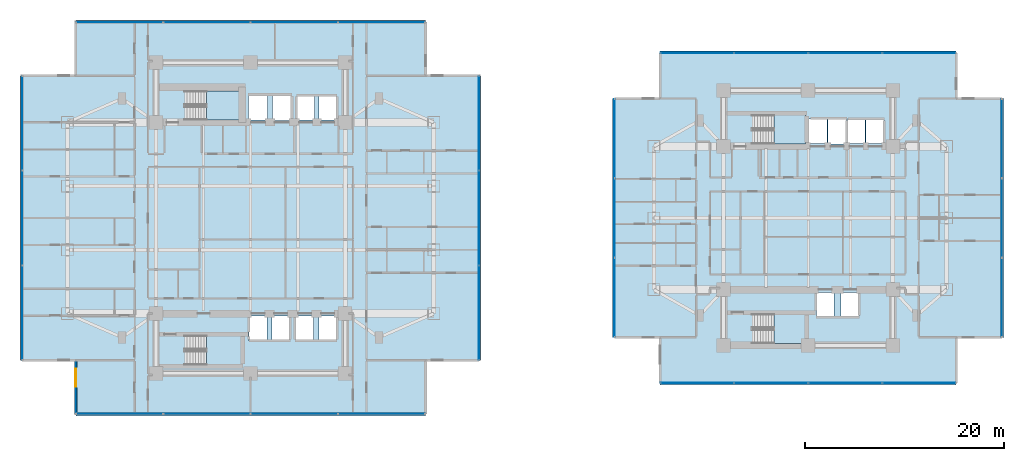
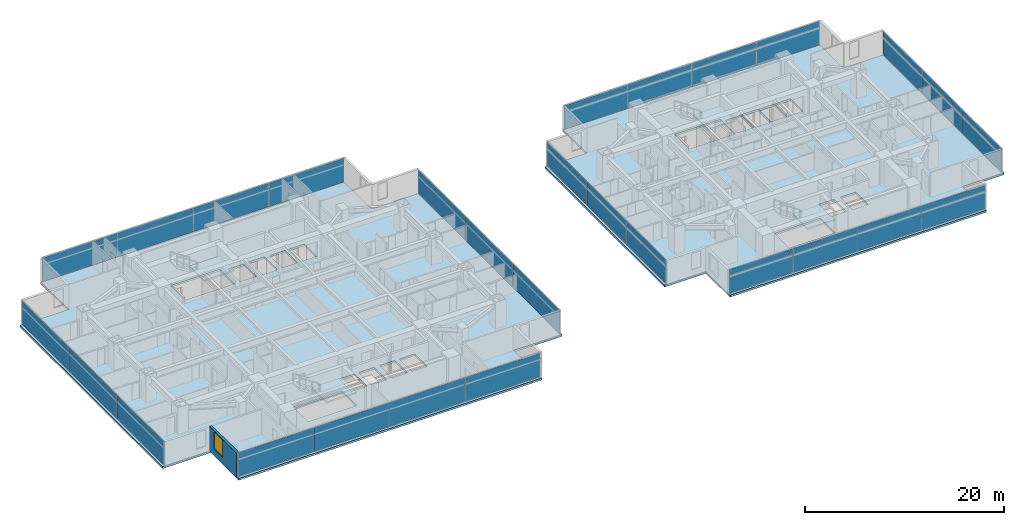
# One storey, part 13 of 26: 28 plates, 6 slabs, 1 wall, 1 window, 1 opening, 12 elements without a shape of their own.
"""IFC4 building model written with IfcOpenShell, lengths in metres."""

from ifc_helpers import new_model, si_unit, direction, frame, frame_2d, origin, origin_2d, place, context, subcontext, project, spatial, polyline, rectangle, outline, extrude, material, layer, layer_set, type_object, element, fill, aggregate, save


model = new_model("IFC4")

# Units and contexts
model_context = context("Model", 3, precision=1e-05, world=origin(), true_north=direction((0.0, 1.0)))
body_context = subcontext(model_context, "Body", "Model", "MODEL_VIEW")
ifc_project = project(units=[si_unit("LENGTHUNIT", "METRE"), si_unit("AREAUNIT", "SQUARE_METRE"), si_unit("VOLUMEUNIT", "CUBIC_METRE"), si_unit("PLANEANGLEUNIT", "RADIAN"), si_unit("MASSUNIT", "GRAM", prefix="KILO")], contexts=[model_context])

# Site, building, storey
site_placement = place(None, origin())
site = spatial("IfcSite", under=ifc_project, at=site_placement, CompositionType="ELEMENT")
building_placement = place(site_placement, origin())
building = spatial("IfcBuilding", under=site, at=building_placement, Name="Mirazonda Arch Towers", CompositionType="ELEMENT")
storey_placement = place(building_placement, frame((0.0, 0.0, 45.5)))
storey = spatial("IfcBuildingStorey", under=building, at=storey_placement, Name="L12", CompositionType="ELEMENT", Elevation=45.5)

# Curtain wall, plates
ifc_material_1 = material(Name="Anodised Aluminium and Low-E Glass", Category="aluminium")
curtain_wall_type = type_object("IfcCurtainWallType", Name="CW-HTL-UNIT", PredefinedType="NOTDEFINED", material=ifc_material_1)
curtain_wall_1_placement = place(storey_placement, origin())
curtain_wall_1 = element("IfcCurtainWall", 1, at=curtain_wall_1_placement, inside=storey, type_object=curtain_wall_type, Name="L12 T1 S Facade CW-L12-T1-S", PredefinedType="NOTDEFINED")
ifc_material_2 = material(Name="Insulated Low-E Solar Glass", Category="glass")
ifc_layer_1 = layer(ifc_material_2, 0.035888671875, Name="PAN-CW-HTL-UNIT")
ifc_layer_set_1 = layer_set([ifc_layer_1], Name="Insulated Low-E Solar Glass")
plate_type = type_object("IfcPlateType", Name="PAN-CW-HTL-UNIT", PredefinedType="CURTAIN_PANEL", material=ifc_layer_set_1)
plate_1_placement = place(storey_placement, frame((33.6513671875, 8.333984375, 0.0751953125), z_axis=(0.0, 0.0, 1.0), x_axis=(-1.0, 0.0, 0.0)))
plate_1 = element("IfcPlate", 2, at=plate_1_placement, type_object=plate_type, Name="CW-112 panel 1.1", PredefinedType="CURTAIN_PANEL", context=body_context, shape_type="SweptSolid", body=[
    extrude(rectangle(XDim=8.66748046875, YDim=0.035888671875, at=origin_2d()), origin(), (0.0, 0.0, 1.0), 2.889892578125),
])
plate_2_placement = place(storey_placement, frame((24.889892578125, 8.333984375, 0.0751953125), z_axis=(0.0, 0.0, 1.0), x_axis=(-1.0, 0.0, 0.0)))
plate_2 = element("IfcPlate", 3, at=plate_2_placement, type_object=plate_type, Name="CW-112 panel 2.1", PredefinedType="CURTAIN_PANEL", context=body_context, shape_type="SweptSolid", body=[
    extrude(rectangle(XDim=8.705078125, YDim=0.035888671875, at=origin_2d()), origin(), (0.0, 0.0, 1.0), 2.889892578125),
])
plate_3_placement = place(storey_placement, frame((16.110107421875, 8.333984375, 0.0751953125), z_axis=(0.0, 0.0, 1.0), x_axis=(-1.0, 0.0, 0.0)))
plate_3 = element("IfcPlate", 4, at=plate_3_placement, type_object=plate_type, Name="CW-112 panel 3.1", PredefinedType="CURTAIN_PANEL", context=body_context, shape_type="SweptSolid", body=[
    extrude(rectangle(XDim=8.705078125, YDim=0.035888671875, at=origin_2d()), origin(), (0.0, 0.0, 1.0), 2.889892578125),
])
plate_4_placement = place(storey_placement, frame((7.3486328125, 8.333984375, 0.0751953125), z_axis=(0.0, 0.0, 1.0), x_axis=(-1.0, 0.0, 0.0)))
plate_4 = element("IfcPlate", 5, at=plate_4_placement, type_object=plate_type, Name="CW-112 panel 4.1", PredefinedType="CURTAIN_PANEL", context=body_context, shape_type="SweptSolid", body=[
    extrude(rectangle(XDim=8.66748046875, YDim=0.035888671875, at=origin_2d()), origin(), (0.0, 0.0, 1.0), 2.889892578125),
])
aggregate(curtain_wall_1, [plate_1, plate_2, plate_3, plate_4])

curtain_wall_2_placement = place(storey_placement, origin())
curtain_wall_2 = element("IfcCurtainWall", 6, at=curtain_wall_2_placement, inside=storey, type_object=curtain_wall_type, Name="L12 T1 E Facade CW-L12-T1-E", PredefinedType="NOTDEFINED")
plate_5_placement = place(storey_placement, frame((43.43994140625, 18.49462890625, 0.0751953125), z_axis=(0.0, 0.0, 1.0), x_axis=(0.0, 1.0, 0.0)))
plate_5 = element("IfcPlate", 7, at=plate_5_placement, type_object=plate_type, Name="CW-112 panel 1.1", PredefinedType="CURTAIN_PANEL", context=body_context, shape_type="SweptSolid", body=[
    extrude(rectangle(XDim=9.41162109375, YDim=0.035888671875, at=origin_2d()), origin(), (0.0, 0.0, 1.0), 2.889892578125),
])
plate_6_placement = place(storey_placement, frame((43.43994140625, 28.0, 0.0751953125), z_axis=(0.0, 0.0, 1.0), x_axis=(0.0, 1.0, 0.0)))
plate_6 = element("IfcPlate", 8, at=plate_6_placement, type_object=plate_type, Name="CW-112 panel 2.1", PredefinedType="CURTAIN_PANEL", context=body_context, shape_type="SweptSolid", body=[
    extrude(rectangle(XDim=9.448974609375, YDim=0.035888671875, at=origin_2d()), origin(), (0.0, 0.0, 1.0), 2.889892578125),
])
plate_7_placement = place(storey_placement, frame((43.43994140625, 37.50537109375, 0.0751953125), z_axis=(0.0, 0.0, 1.0), x_axis=(0.0, 1.0, 0.0)))
plate_7 = element("IfcPlate", 9, at=plate_7_placement, type_object=plate_type, Name="CW-112 panel 3.1", PredefinedType="CURTAIN_PANEL", context=body_context, shape_type="SweptSolid", body=[
    extrude(rectangle(XDim=9.41162109375, YDim=0.035888671875, at=origin_2d()), origin(), (0.0, 0.0, 1.0), 2.889892578125),
])
aggregate(curtain_wall_2, [plate_5, plate_6, plate_7])

curtain_wall_3_placement = place(storey_placement, origin())
curtain_wall_3 = element("IfcCurtainWall", 10, at=curtain_wall_3_placement, inside=storey, type_object=curtain_wall_type, Name="L12 T1 N Facade CW-L12-T1-N", PredefinedType="NOTDEFINED")
plate_8_placement = place(storey_placement, frame((7.3486328125, 47.666015625, 0.0751953125), z_axis=(0.0, 0.0, 1.0), x_axis=(1.0, 0.0, 0.0)))
plate_8 = element("IfcPlate", 11, at=plate_8_placement, type_object=plate_type, Name="CW-112 panel 1.1", PredefinedType="CURTAIN_PANEL", context=body_context, shape_type="SweptSolid", body=[
    extrude(rectangle(XDim=8.66748046875, YDim=0.035888671875, at=origin_2d()), origin(), (0.0, 0.0, 1.0), 2.889892578125),
])
plate_9_placement = place(storey_placement, frame((16.110107421875, 47.666015625, 0.0751953125), z_axis=(0.0, 0.0, 1.0), x_axis=(1.0, 0.0, 0.0)))
plate_9 = element("IfcPlate", 12, at=plate_9_placement, type_object=plate_type, Name="CW-112 panel 2.1", PredefinedType="CURTAIN_PANEL", context=body_context, shape_type="SweptSolid", body=[
    extrude(rectangle(XDim=8.705078125, YDim=0.035888671875, at=origin_2d()), origin(), (0.0, 0.0, 1.0), 2.889892578125),
])
plate_10_placement = place(storey_placement, frame((24.889892578125, 47.666015625, 0.0751953125), z_axis=(0.0, 0.0, 1.0), x_axis=(1.0, 0.0, 0.0)))
plate_10 = element("IfcPlate", 13, at=plate_10_placement, type_object=plate_type, Name="CW-112 panel 3.1", PredefinedType="CURTAIN_PANEL", context=body_context, shape_type="SweptSolid", body=[
    extrude(rectangle(XDim=8.705078125, YDim=0.035888671875, at=origin_2d()), origin(), (0.0, 0.0, 1.0), 2.889892578125),
])
plate_11_placement = place(storey_placement, frame((33.6513671875, 47.666015625, 0.0751953125), z_axis=(0.0, 0.0, 1.0), x_axis=(1.0, 0.0, 0.0)))
plate_11 = element("IfcPlate", 14, at=plate_11_placement, type_object=plate_type, Name="CW-112 panel 4.1", PredefinedType="CURTAIN_PANEL", context=body_context, shape_type="SweptSolid", body=[
    extrude(rectangle(XDim=8.66748046875, YDim=0.035888671875, at=origin_2d()), origin(), (0.0, 0.0, 1.0), 2.889892578125),
])
aggregate(curtain_wall_3, [plate_8, plate_9, plate_10, plate_11])

curtain_wall_4_placement = place(storey_placement, origin())
curtain_wall_4 = element("IfcCurtainWall", 15, at=curtain_wall_4_placement, inside=storey, type_object=curtain_wall_type, Name="L12 T1 W Facade CW-L12-T1-W", PredefinedType="NOTDEFINED")
plate_12_placement = place(storey_placement, frame((-2.43994140625, 37.50537109375, 0.0751953125), z_axis=(0.0, 0.0, 1.0), x_axis=(0.0, -1.0, 0.0)))
plate_12 = element("IfcPlate", 16, at=plate_12_placement, type_object=plate_type, Name="CW-112 panel 1.1", PredefinedType="CURTAIN_PANEL", context=body_context, shape_type="SweptSolid", body=[
    extrude(rectangle(XDim=9.41162109375, YDim=0.035888671875, at=origin_2d()), origin(), (0.0, 0.0, 1.0), 2.889892578125),
])
plate_13_placement = place(storey_placement, frame((-2.43994140625, 28.0, 0.0751953125), z_axis=(0.0, 0.0, 1.0), x_axis=(0.0, -1.0, 0.0)))
plate_13 = element("IfcPlate", 17, at=plate_13_placement, type_object=plate_type, Name="CW-112 panel 2.1", PredefinedType="CURTAIN_PANEL", context=body_context, shape_type="SweptSolid", body=[
    extrude(rectangle(XDim=9.448974609375, YDim=0.035888671875, at=origin_2d()), origin(), (0.0, 0.0, 1.0), 2.889892578125),
])
plate_14_placement = place(storey_placement, frame((-2.43994140625, 18.49462890625, 0.0751953125), z_axis=(0.0, 0.0, 1.0), x_axis=(0.0, -1.0, 0.0)))
plate_14 = element("IfcPlate", 18, at=plate_14_placement, type_object=plate_type, Name="CW-112 panel 3.1", PredefinedType="CURTAIN_PANEL", context=body_context, shape_type="SweptSolid", body=[
    extrude(rectangle(XDim=9.41162109375, YDim=0.035888671875, at=origin_2d()), origin(), (0.0, 0.0, 1.0), 2.889892578125),
])
aggregate(curtain_wall_4, [plate_12, plate_13, plate_14])

curtain_wall_5_placement = place(storey_placement, origin())
curtain_wall_5 = element("IfcCurtainWall", 19, at=curtain_wall_5_placement, inside=storey, type_object=curtain_wall_type, Name="L12 T2 S Facade CW-L12-T2-S", PredefinedType="NOTDEFINED")
plate_15_placement = place(storey_placement, frame((87.630859375, 11.43701171875, 0.0751953125), z_axis=(0.0, 0.0, 1.0), x_axis=(-1.0, 0.0, 0.0)))
plate_15 = element("IfcPlate", 20, at=plate_15_placement, type_object=plate_type, Name="CW-112 panel 1.1", PredefinedType="CURTAIN_PANEL", context=body_context, shape_type="SweptSolid", body=[
    extrude(rectangle(XDim=7.320556640625, YDim=0.035888671875, at=origin_2d()), origin(), (0.0, 0.0, 1.0), 2.889892578125),
])
plate_16_placement = place(storey_placement, frame((80.216552734375, 11.43701171875, 0.0751953125), z_axis=(0.0, 0.0, 1.0), x_axis=(-1.0, 0.0, 0.0)))
plate_16 = element("IfcPlate", 21, at=plate_16_placement, type_object=plate_type, Name="CW-112 panel 2.1", PredefinedType="CURTAIN_PANEL", context=body_context, shape_type="SweptSolid", body=[
    extrude(rectangle(XDim=7.35791015625, YDim=0.035888671875, at=origin_2d()), origin(), (0.0, 0.0, 1.0), 2.889892578125),
])
plate_17_placement = place(storey_placement, frame((72.783447265625, 11.43701171875, 0.0751953125), z_axis=(0.0, 0.0, 1.0), x_axis=(-1.0, 0.0, 0.0)))
plate_17 = element("IfcPlate", 22, at=plate_17_placement, type_object=plate_type, Name="CW-112 panel 3.1", PredefinedType="CURTAIN_PANEL", context=body_context, shape_type="SweptSolid", body=[
    extrude(rectangle(XDim=7.35791015625, YDim=0.035888671875, at=origin_2d()), origin(), (0.0, 0.0, 1.0), 2.889892578125),
])
plate_18_placement = place(storey_placement, frame((65.369140625, 11.43701171875, 0.0751953125), z_axis=(0.0, 0.0, 1.0), x_axis=(-1.0, 0.0, 0.0)))
plate_18 = element("IfcPlate", 23, at=plate_18_placement, type_object=plate_type, Name="CW-112 panel 4.1", PredefinedType="CURTAIN_PANEL", context=body_context, shape_type="SweptSolid", body=[
    extrude(rectangle(XDim=7.320556640625, YDim=0.035888671875, at=origin_2d()), origin(), (0.0, 0.0, 1.0), 2.889892578125),
])
aggregate(curtain_wall_5, [plate_15, plate_16, plate_17, plate_18])

curtain_wall_6_placement = place(storey_placement, origin())
curtain_wall_6 = element("IfcCurtainWall", 24, at=curtain_wall_6_placement, inside=storey, type_object=curtain_wall_type, Name="L12 T2 E Facade CW-L12-T2-E", PredefinedType="NOTDEFINED")
plate_19_placement = place(storey_placement, frame((95.946044921875, 20.030029296875, 0.0751953125), z_axis=(0.0, 0.0, 1.0), x_axis=(0.0, 1.0, 0.0)))
plate_19 = element("IfcPlate", 25, at=plate_19_placement, type_object=plate_type, Name="CW-112 panel 1.1", PredefinedType="CURTAIN_PANEL", context=body_context, shape_type="SweptSolid", body=[
    extrude(rectangle(XDim=7.876220703125, YDim=0.035888671875, at=origin_2d()), origin(), (0.0, 0.0, 1.0), 2.889892578125),
])
plate_20_placement = place(storey_placement, frame((95.946044921875, 28.0, 0.0751953125), z_axis=(0.0, 0.0, 1.0), x_axis=(0.0, 1.0, 0.0)))
plate_20 = element("IfcPlate", 26, at=plate_20_placement, type_object=plate_type, Name="CW-112 panel 2.1", PredefinedType="CURTAIN_PANEL", context=body_context, shape_type="SweptSolid", body=[
    extrude(rectangle(XDim=7.913818359375, YDim=0.035888671875, at=origin_2d()), origin(), (0.0, 0.0, 1.0), 2.889892578125),
])
plate_21_placement = place(storey_placement, frame((95.946044921875, 35.969970703125, 0.0751953125), z_axis=(0.0, 0.0, 1.0), x_axis=(0.0, 1.0, 0.0)))
plate_21 = element("IfcPlate", 27, at=plate_21_placement, type_object=plate_type, Name="CW-112 panel 3.1", PredefinedType="CURTAIN_PANEL", context=body_context, shape_type="SweptSolid", body=[
    extrude(rectangle(XDim=7.876220703125, YDim=0.035888671875, at=origin_2d()), origin(), (0.0, 0.0, 1.0), 2.889892578125),
])
aggregate(curtain_wall_6, [plate_19, plate_20, plate_21])

curtain_wall_7_placement = place(storey_placement, origin())
curtain_wall_7 = element("IfcCurtainWall", 28, at=curtain_wall_7_placement, inside=storey, type_object=curtain_wall_type, Name="L12 T2 N Facade CW-L12-T2-N", PredefinedType="NOTDEFINED")
plate_22_placement = place(storey_placement, frame((65.369140625, 44.56298828125, 0.0751953125), z_axis=(0.0, 0.0, 1.0), x_axis=(1.0, 0.0, 0.0)))
plate_22 = element("IfcPlate", 29, at=plate_22_placement, type_object=plate_type, Name="CW-112 panel 1.1", PredefinedType="CURTAIN_PANEL", context=body_context, shape_type="SweptSolid", body=[
    extrude(rectangle(XDim=7.320556640625, YDim=0.035888671875, at=origin_2d()), origin(), (0.0, 0.0, 1.0), 2.889892578125),
])
plate_23_placement = place(storey_placement, frame((72.783447265625, 44.56298828125, 0.0751953125), z_axis=(0.0, 0.0, 1.0), x_axis=(1.0, 0.0, 0.0)))
plate_23 = element("IfcPlate", 30, at=plate_23_placement, type_object=plate_type, Name="CW-112 panel 2.1", PredefinedType="CURTAIN_PANEL", context=body_context, shape_type="SweptSolid", body=[
    extrude(rectangle(XDim=7.35791015625, YDim=0.035888671875, at=origin_2d()), origin(), (0.0, 0.0, 1.0), 2.889892578125),
])
plate_24_placement = place(storey_placement, frame((80.216552734375, 44.56298828125, 0.0751953125), z_axis=(0.0, 0.0, 1.0), x_axis=(1.0, 0.0, 0.0)))
plate_24 = element("IfcPlate", 31, at=plate_24_placement, type_object=plate_type, Name="CW-112 panel 3.1", PredefinedType="CURTAIN_PANEL", context=body_context, shape_type="SweptSolid", body=[
    extrude(rectangle(XDim=7.35791015625, YDim=0.035888671875, at=origin_2d()), origin(), (0.0, 0.0, 1.0), 2.889892578125),
])
plate_25_placement = place(storey_placement, frame((87.630859375, 44.56298828125, 0.0751953125), z_axis=(0.0, 0.0, 1.0), x_axis=(1.0, 0.0, 0.0)))
plate_25 = element("IfcPlate", 32, at=plate_25_placement, type_object=plate_type, Name="CW-112 panel 4.1", PredefinedType="CURTAIN_PANEL", context=body_context, shape_type="SweptSolid", body=[
    extrude(rectangle(XDim=7.320556640625, YDim=0.035888671875, at=origin_2d()), origin(), (0.0, 0.0, 1.0), 2.889892578125),
])
aggregate(curtain_wall_7, [plate_22, plate_23, plate_24, plate_25])

curtain_wall_8_placement = place(storey_placement, origin())
curtain_wall_8 = element("IfcCurtainWall", 33, at=curtain_wall_8_placement, inside=storey, type_object=curtain_wall_type, Name="L12 T2 W Facade CW-L12-T2-W", PredefinedType="NOTDEFINED")
plate_26_placement = place(storey_placement, frame((57.053955078125, 35.969970703125, 0.0751953125), z_axis=(0.0, 0.0, 1.0), x_axis=(0.0, -1.0, 0.0)))
plate_26 = element("IfcPlate", 34, at=plate_26_placement, type_object=plate_type, Name="CW-112 panel 1.1", PredefinedType="CURTAIN_PANEL", context=body_context, shape_type="SweptSolid", body=[
    extrude(rectangle(XDim=7.876220703125, YDim=0.035888671875, at=origin_2d()), origin(), (0.0, 0.0, 1.0), 2.889892578125),
])
plate_27_placement = place(storey_placement, frame((57.053955078125, 28.0, 0.0751953125), z_axis=(0.0, 0.0, 1.0), x_axis=(0.0, -1.0, 0.0)))
plate_27 = element("IfcPlate", 35, at=plate_27_placement, type_object=plate_type, Name="CW-112 panel 2.1", PredefinedType="CURTAIN_PANEL", context=body_context, shape_type="SweptSolid", body=[
    extrude(rectangle(XDim=7.913818359375, YDim=0.035888671875, at=origin_2d()), origin(), (0.0, 0.0, 1.0), 2.889892578125),
])
plate_28_placement = place(storey_placement, frame((57.053955078125, 20.030029296875, 0.0751953125), z_axis=(0.0, 0.0, 1.0), x_axis=(0.0, -1.0, 0.0)))
plate_28 = element("IfcPlate", 36, at=plate_28_placement, type_object=plate_type, Name="CW-112 panel 3.1", PredefinedType="CURTAIN_PANEL", context=body_context, shape_type="SweptSolid", body=[
    extrude(rectangle(XDim=7.876220703125, YDim=0.035888671875, at=origin_2d()), origin(), (0.0, 0.0, 1.0), 2.889892578125),
])
aggregate(curtain_wall_8, [plate_26, plate_27, plate_28])

# Stair, slab
ifc_material_3 = material(Name="Concrete C40/50", Category="concrete")
stair_type = type_object("IfcStairType", Name="STAIR-CORE-1400", PredefinedType="HALF_TURN_STAIR", material=ifc_material_3)
stair_1_placement = place(storey_placement, origin())
stair_1 = element("IfcStair", 37, at=stair_1_placement, inside=storey, type_object=stair_type, Name="L12 Protected Exit Stair ST-T1N", PredefinedType="HALF_TURN_STAIR")
ifc_layer_2 = layer(ifc_material_3, 0.18994140625, Name="SLAB-LANDING-190")
ifc_layer_set_2 = layer_set([ifc_layer_2], Name="Concrete C40/50")
slab_type_1 = type_object("IfcSlabType", Name="SLAB-LANDING-190", PredefinedType="LANDING", material=ifc_layer_set_2)
slab_1_placement = place(storey_placement, frame((0.0, 0.0, 1.449951171875)))
slab_1 = element("IfcSlab", 38, at=slab_1_placement, type_object=slab_type_1, Name="ST-T1N landing 1", PredefinedType="LANDING", context=body_context, shape_type="SweptSolid", body=[
    extrude(outline(polyline([(16.090087890625, 37.820068359375), (19.60009765625, 37.820068359375), (19.60009765625, 40.760009765625), (16.090087890625, 40.760009765625), (16.090087890625, 37.820068359375)])), origin(), (0.0, 0.0, 1.0), 0.199951171875),
])
aggregate(stair_1, [slab_1])

stair_2_placement = place(storey_placement, origin())
stair_2 = element("IfcStair", 39, at=stair_2_placement, inside=storey, type_object=stair_type, Name="L12 Protected Exit Stair ST-T1S", PredefinedType="HALF_TURN_STAIR")
slab_2_placement = place(storey_placement, frame((0.0, 0.0, 1.449951171875)))
slab_2 = element("IfcSlab", 40, at=slab_2_placement, type_object=slab_type_1, Name="ST-T1S landing 1", PredefinedType="LANDING", context=body_context, shape_type="SweptSolid", body=[
    extrude(outline(polyline([(16.090087890625, 13.25), (19.60009765625, 13.25), (19.60009765625, 16.18994140625), (16.090087890625, 16.18994140625), (16.090087890625, 13.25)])), origin(), (0.0, 0.0, 1.0), 0.199951171875),
])
aggregate(stair_2, [slab_2])

stair_3_placement = place(storey_placement, origin())
stair_3 = element("IfcStair", 41, at=stair_3_placement, inside=storey, type_object=stair_type, Name="L12 Protected Exit Stair ST-T2N", PredefinedType="HALF_TURN_STAIR")
slab_3_placement = place(storey_placement, frame((0.0, 0.0, 1.449951171875)))
slab_3 = element("IfcSlab", 42, at=slab_3_placement, type_object=slab_type_1, Name="ST-T2N landing 1", PredefinedType="LANDING", context=body_context, shape_type="SweptSolid", body=[
    extrude(outline(polyline([(73.090087890625, 35.419921875), (76.22998046875, 35.419921875), (76.22998046875, 38.360107421875), (73.090087890625, 38.360107421875), (73.090087890625, 35.419921875)])), origin(), (0.0, 0.0, 1.0), 0.199951171875),
])
aggregate(stair_3, [slab_3])

stair_4_placement = place(storey_placement, origin())
stair_4 = element("IfcStair", 43, at=stair_4_placement, inside=storey, type_object=stair_type, Name="L12 Protected Exit Stair ST-T2S", PredefinedType="HALF_TURN_STAIR")
slab_4_placement = place(storey_placement, frame((0.0, 0.0, 1.449951171875)))
slab_4 = element("IfcSlab", 44, at=slab_4_placement, type_object=slab_type_1, Name="ST-T2S landing 1", PredefinedType="LANDING", context=body_context, shape_type="SweptSolid", body=[
    extrude(outline(polyline([(73.090087890625, 15.419921875), (76.22998046875, 15.419921875), (76.22998046875, 18.360107421875), (73.090087890625, 18.360107421875), (73.090087890625, 15.419921875)])), origin(), (0.0, 0.0, 1.0), 0.199951171875),
])
aggregate(stair_4, [slab_4])

# Slabs
ifc_layer_3 = layer(ifc_material_3, 0.239990234375, Name="SLAB-TWR-240")
ifc_layer_set_3 = layer_set([ifc_layer_3], Name="Concrete C40/50")
slab_type_2 = type_object("IfcSlabType", Name="SLAB-TWR-240", PredefinedType="FLOOR", material=ifc_layer_set_3)
slab_5_placement = place(storey_placement, frame((0.0, 0.0, -0.239990234375)))
element("IfcSlab", 45, at=slab_5_placement, inside=storey, type_object=slab_type_2, Name="L12 Tower 1 Floor Slab", PredefinedType="FLOOR", context=body_context, shape_type="SweptSolid", body=[
    extrude(outline(polyline([(2.93994140625, 8.114013671875), (38.06005859375, 8.114013671875), (38.06005859375, 13.714111328125), (43.659912109375, 13.714111328125), (43.659912109375, 42.285888671875), (38.06005859375, 42.285888671875), (38.06005859375, 47.885986328125), (2.93994140625, 47.885986328125), (2.93994140625, 42.285888671875), (-2.659912109375, 42.285888671875), (-2.659912109375, 13.714111328125), (2.93994140625, 13.714111328125), (2.93994140625, 8.114013671875)]), holes=[polyline([(29.139892578125, 18.139892578125), (29.139892578125, 15.659912109375), (27.360107421875, 15.659912109375), (27.360107421875, 18.139892578125), (29.139892578125, 18.139892578125)]), polyline([(29.139892578125, 40.340087890625), (29.139892578125, 37.860107421875), (27.360107421875, 37.860107421875), (27.360107421875, 40.340087890625), (29.139892578125, 40.340087890625)]), polyline([(25.159912109375, 40.340087890625), (26.93994140625, 40.340087890625), (26.93994140625, 37.860107421875), (25.159912109375, 37.860107421875), (25.159912109375, 40.340087890625)]), polyline([(26.840087890625, 18.139892578125), (26.840087890625, 15.659912109375), (25.06005859375, 15.659912109375), (25.06005859375, 18.139892578125), (26.840087890625, 18.139892578125)]), polyline([(22.7099609375, 40.389892578125), (24.590087890625, 40.389892578125), (24.590087890625, 37.81005859375), (22.7099609375, 37.81005859375), (22.7099609375, 40.389892578125)]), polyline([(22.659912109375, 18.139892578125), (24.43994140625, 18.139892578125), (24.43994140625, 15.659912109375), (22.659912109375, 15.659912109375), (22.659912109375, 18.139892578125)]), polyline([(20.31005859375, 40.340087890625), (22.18994140625, 40.340087890625), (22.18994140625, 37.860107421875), (20.31005859375, 37.860107421875), (20.31005859375, 40.340087890625)]), polyline([(20.360107421875, 18.139892578125), (22.139892578125, 18.139892578125), (22.139892578125, 15.659912109375), (20.360107421875, 15.659912109375), (20.360107421875, 18.139892578125)]), polyline([(13.925048828125, 40.760009765625), (19.60009765625, 40.760009765625), (19.60009765625, 37.820068359375), (13.925048828125, 37.820068359375), (13.925048828125, 40.760009765625)]), polyline([(13.925048828125, 13.25), (13.925048828125, 16.18994140625), (19.60009765625, 16.18994140625), (19.60009765625, 13.25), (13.925048828125, 13.25)])]), origin(), (0.0, 0.0, 1.0), 0.239990234375),
])
slab_6_placement = place(storey_placement, frame((0.0, 0.0, -0.239990234375)))
element("IfcSlab", 46, at=slab_6_placement, inside=storey, type_object=slab_type_2, Name="L12 Tower 2 Floor Slab", PredefinedType="FLOOR", context=body_context, shape_type="SweptSolid", body=[
    extrude(outline(polyline([(61.634033203125, 11.216796875), (91.365966796875, 11.216796875), (91.365966796875, 16.016845703125), (96.166015625, 16.016845703125), (96.166015625, 39.983154296875), (91.365966796875, 39.983154296875), (91.365966796875, 44.783203125), (61.634033203125, 44.783203125), (61.634033203125, 39.983154296875), (56.833984375, 39.983154296875), (56.833984375, 16.016845703125), (61.634033203125, 16.016845703125), (61.634033203125, 11.216796875)]), holes=[polyline([(82.330078125, 37.93994140625), (84.110107421875, 37.93994140625), (84.110107421875, 35.4599609375), (82.330078125, 35.4599609375), (82.330078125, 37.93994140625)]), polyline([(80.449951171875, 37.93994140625), (82.22998046875, 37.93994140625), (82.22998046875, 35.4599609375), (80.449951171875, 35.4599609375), (80.449951171875, 37.93994140625)]), polyline([(79.81005859375, 20.5400390625), (81.590087890625, 20.5400390625), (81.590087890625, 18.06005859375), (79.81005859375, 18.06005859375), (79.81005859375, 20.5400390625)]), polyline([(78.47998046875, 37.989990234375), (80.360107421875, 37.989990234375), (80.360107421875, 35.409912109375), (78.47998046875, 35.409912109375), (78.47998046875, 37.989990234375)]), polyline([(77.31005859375, 20.5400390625), (79.090087890625, 20.5400390625), (79.090087890625, 18.06005859375), (77.31005859375, 18.06005859375), (77.31005859375, 20.5400390625)]), polyline([(76.510009765625, 37.93994140625), (78.389892578125, 37.93994140625), (78.389892578125, 35.4599609375), (76.510009765625, 35.4599609375), (76.510009765625, 37.93994140625)]), polyline([(70.925048828125, 15.419921875), (70.925048828125, 18.360107421875), (76.22998046875, 18.360107421875), (76.22998046875, 15.419921875), (70.925048828125, 15.419921875)]), polyline([(70.925048828125, 35.419921875), (70.925048828125, 38.360107421875), (76.22998046875, 38.360107421875), (76.22998046875, 35.419921875), (70.925048828125, 35.419921875)])]), origin(), (0.0, 0.0, 1.0), 0.239990234375),
])

# Wall, opening, window
ifc_material_4 = material(Name="Precast Concrete C40/50", Category="concrete")
ifc_layer_4 = layer(ifc_material_4, 0.280029296875, Name="WALL-EXT-WALL-280")
ifc_layer_set_4 = layer_set([ifc_layer_4], Name="Precast Concrete C40/50")
wall_type = type_object("IfcWallType", Name="WALL-EXT-WALL-280", PredefinedType="SOLIDWALL", material=ifc_layer_set_4)
wall_placement = place(storey_placement, frame((2.93994140625, 13.714111328125, 0.0), z_axis=(0.0, 0.0, 1.0), x_axis=(0.0, -1.0, 0.0)))
wall = element("IfcWall", 47, at=wall_placement, inside=storey, type_object=wall_type, Name="L12 T1 Notched SW Corner Wall WL-L12-T1-CSW", PredefinedType="SOLIDWALL", context=body_context, shape_type="SweptSolid", body=[
    extrude(rectangle(XDim=5.380126953125, YDim=0.280029296875, at=frame_2d((2.68994140625, 0.0))), origin(), (0.0, 0.0, 1.0), 3.0400390625),
])
opening_placement = place(wall_placement, frame((0.85009765625, 0.0, 0.7900390625)))
opening = element("IfcOpeningElement", 48, at=opening_placement, cuts=wall, Name="Opening WN-116", PredefinedType="OPENING", context=body_context, shape_type="SweptSolid", body=[
    extrude(rectangle(XDim=1.800048828125, YDim=2.10009765625, at=frame_2d((0.89990234375, 1.050048828125))), frame((0.0, 0.14990234375, 0.0), z_axis=(0.0, -1.0, 0.0), x_axis=(1.0, 0.0, 0.0)), (0.0, 0.0, 1.0), 0.300048828125),
])
window_type = type_object("IfcWindowType", Name="WIN-HTL-1800x2100", PartitioningType="SINGLE_PANEL", PredefinedType="WINDOW", material=ifc_material_2)
window_placement = place(opening_placement, origin())
window = element("IfcWindow", 49, at=window_placement, inside=storey, type_object=window_type, Name="L12 Punched Facade Window WN-L12-T1-CSW", OverallHeight=2.10009765625, OverallWidth=1.800048828125, PartitioningType="SINGLE_PANEL", PredefinedType="WINDOW", context=body_context, shape_type="SweptSolid", body=[
    extrude(rectangle(XDim=1.800048828125, YDim=2.10009765625, at=frame_2d((0.89990234375, 1.050048828125))), frame((0.0, 0.030029296875, 0.0), z_axis=(0.0, -1.0, 0.0), x_axis=(1.0, 0.0, 0.0)), (0.0, 0.0, 1.0), 0.06005859375),
])
fill(opening, window)

save(model, "model.ifc")
